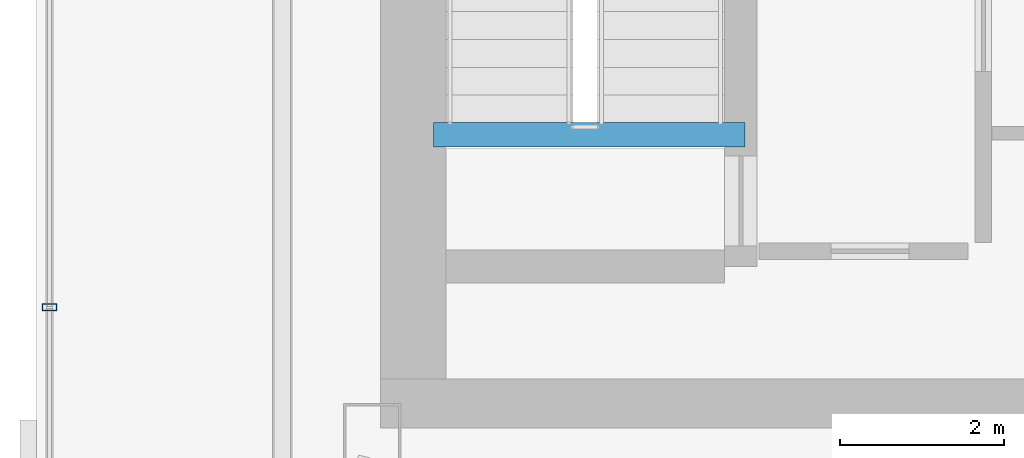
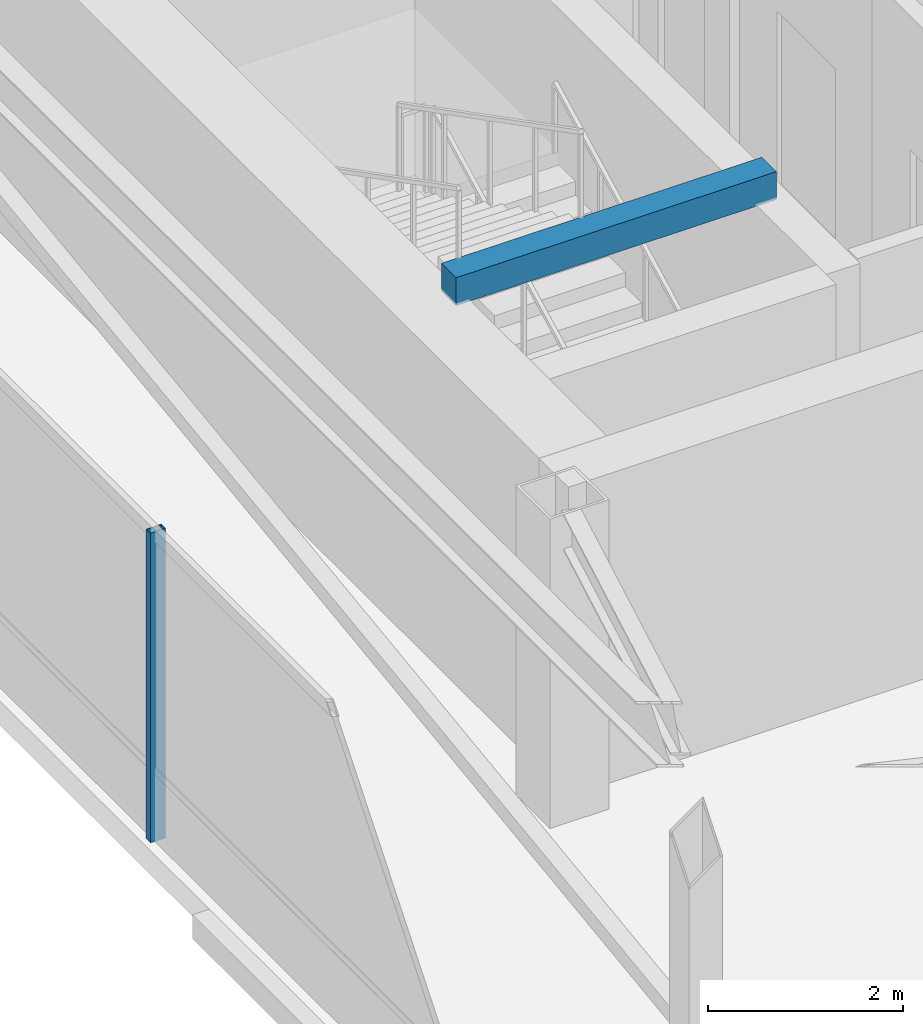
# One storey, part 3 of 22: 1 beam, 1 member, 1 element without a shape of its own.
"""IFC4 building model written with IfcOpenShell, lengths in metres."""

from ifc_helpers import new_model, si_unit, direction, frame, origin, origin_2d, place, context, subcontext, project, spatial, rectangle, hollow_rectangle, extrude, material, layer, layer_set, material_profile, profile_set, type_object, element, aggregate, save


model = new_model("IFC4")

# Units and contexts
model_context = context("Model", 3, precision=1e-05, world=origin(), true_north=direction((0.0, 1.0)))
body_context = subcontext(model_context, "Body", "Model", "MODEL_VIEW")
ifc_project = project(units=[si_unit("LENGTHUNIT", "METRE"), si_unit("AREAUNIT", "SQUARE_METRE"), si_unit("VOLUMEUNIT", "CUBIC_METRE"), si_unit("PLANEANGLEUNIT", "RADIAN"), si_unit("MASSUNIT", "GRAM", prefix="KILO")], contexts=[model_context])

# Site, building, storey
site_placement = place(None, origin())
site = spatial("IfcSite", under=ifc_project, at=site_placement, CompositionType="ELEMENT")
building_placement = place(site_placement, origin())
building = spatial("IfcBuilding", under=site, at=building_placement, Name="Tavrogorsk Clinical Tower", CompositionType="ELEMENT")
storey_placement = place(building_placement, frame((0.0, 0.0, 352.800048828125)))
storey = spatial("IfcBuildingStorey", under=building, at=storey_placement, Name="L82", CompositionType="ELEMENT", Elevation=352.800048828125)

# Curtain wall, member
ifc_material_1 = material(Name="Anodised aluminium and triple IGU glazing", Category="aluminium")
ifc_layer = layer(ifc_material_1, 0.179931640625)
ifc_layer_set = layer_set([ifc_layer], Name="Anodised aluminium and triple IGU glazing")
curtain_wall_type = type_object("IfcCurtainWallType", Name="CW5_SkyLobby", PredefinedType="NOTDEFINED", material=ifc_layer_set)
curtain_wall_placement = place(storey_placement, origin())
curtain_wall = element("IfcCurtainWall", 1, at=curtain_wall_placement, inside=storey, type_object=curtain_wall_type, Name="L82 Curtain Wall CW-L82-DRUM-2", PredefinedType="NOTDEFINED")
ifc_material_2 = material(Name="Anodised aluminium alloy AW-6060", Category="aluminium")
ifc_material_profile_1 = material_profile(ifc_material_2, hollow_rectangle(XDim=0.090087890625, YDim=0.179931640625, WallThickness=0.00634765625, at=origin_2d()), Name="RHS-180x90x6.3")
ifc_profile_set_1 = profile_set([ifc_material_profile_1], Name="Anodised aluminium alloy AW-6060")
member_type = type_object("IfcMemberType", Name="CwMullion_180x90", PredefinedType="MULLION", material=ifc_profile_set_1)
member_placement = place(storey_placement, frame((-26.0400390625, -4.824462890625, 0.0), z_axis=(0.0, 0.0, 1.0), x_axis=(0.0, 1.0, 0.0)))
member = element("IfcMember", 2, at=member_placement, type_object=member_type, Name="CW-L82-DRUM-2 Mullion 2", PredefinedType="MULLION", context=body_context, shape_type="SweptSolid", body=[
    extrude(hollow_rectangle(XDim=0.090087890625, YDim=0.179931640625, WallThickness=0.00634765625, at=origin_2d()), origin(), (0.0, 0.0, 1.0), 3.8798828125),
])
aggregate(curtain_wall, [member])

# Beam
ifc_material_3 = material(Name="Concrete B60", Category="concrete")
ifc_material_profile_2 = material_profile(ifc_material_3, rectangle(XDim=0.300048828125, YDim=0.35009765625, at=origin_2d()), Name="RC-SHB-300x350")
ifc_profile_set_2 = profile_set([ifc_material_profile_2], Name="Concrete B60")
beam_type = type_object("IfcBeamType", Name="StairHeaderBeam_RC300x350", PredefinedType="BEAM", material=ifc_profile_set_2)
beam_placement = place(storey_placement, frame((-21.35009765625, -2.719970703125, 4.02490234375), z_axis=(1.0, 0.0, 0.0), x_axis=(0.0, 1.0, 0.0)))
element("IfcBeam", 3, at=beam_placement, inside=storey, type_object=beam_type, Name="L83 ST-W Landing Header Beam", PredefinedType="BEAM", context=body_context, shape_type="SweptSolid", body=[
    extrude(rectangle(XDim=0.300048828125, YDim=0.35009765625, at=origin_2d()), origin(), (0.0, 0.0, 1.0), 3.800048828125),
])

save(model, "model.ifc")
